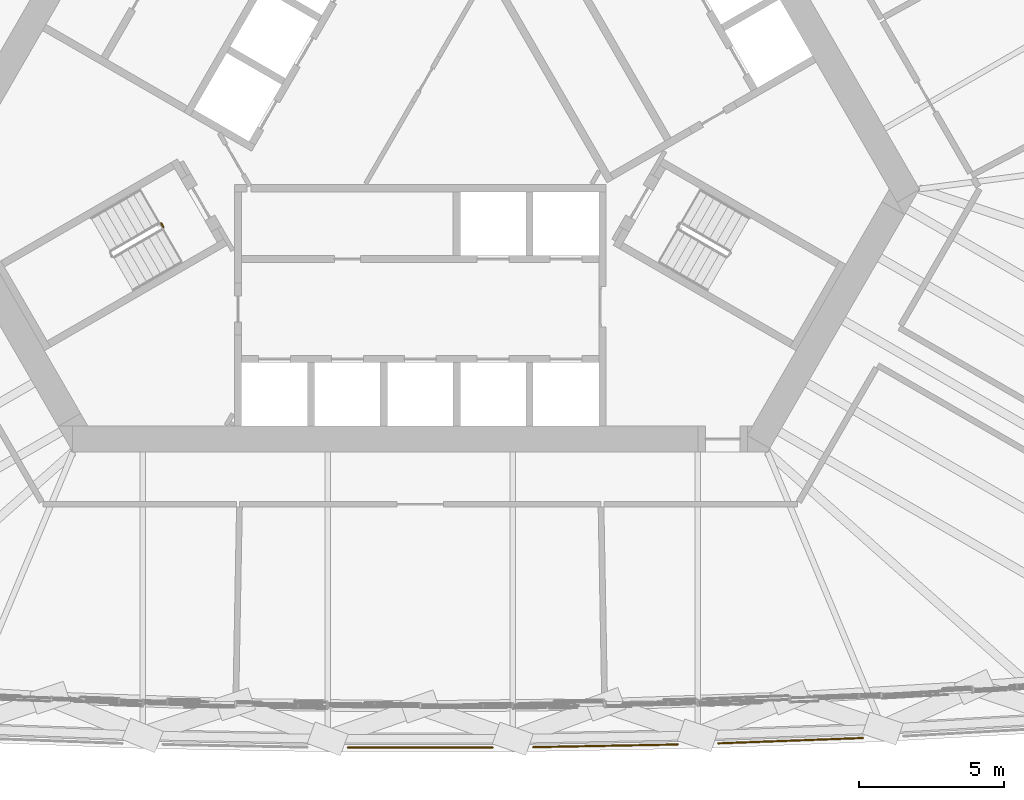
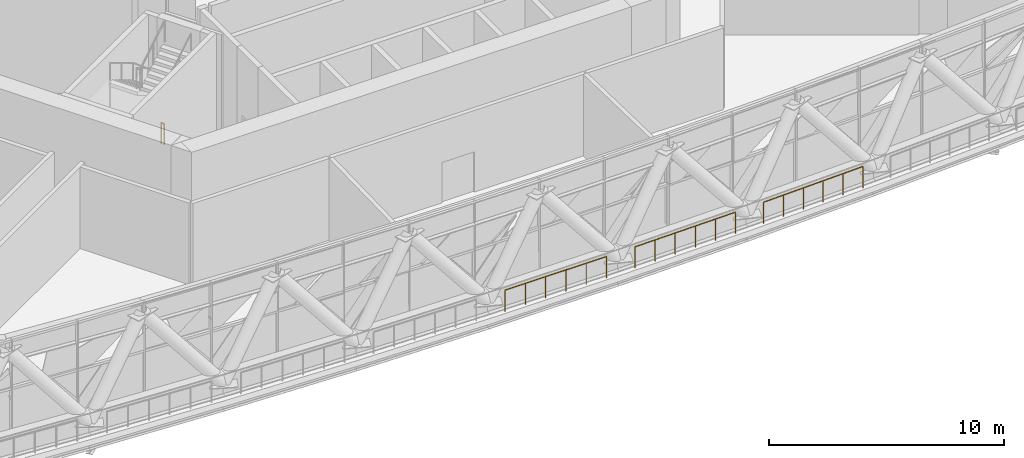
# One storey, part 39 of 43: 4 railings.
"""IFC4 building model written with IfcOpenShell, lengths in metres."""

from ifc_helpers import new_model, si_unit, direction, frame, origin, origin_2d, place, context, subcontext, project, spatial, circle, extrude, material, type_object, element, save


model = new_model("IFC4")

# Units and contexts
model_context = context("Model", 3, precision=1e-05, world=origin(), true_north=direction((0.0, 1.0)))
body_context = subcontext(model_context, "Body", "Model", "MODEL_VIEW")
ifc_project = project(units=[si_unit("LENGTHUNIT", "METRE"), si_unit("AREAUNIT", "SQUARE_METRE"), si_unit("VOLUMEUNIT", "CUBIC_METRE"), si_unit("PLANEANGLEUNIT", "RADIAN"), si_unit("MASSUNIT", "GRAM", prefix="KILO")], contexts=[model_context])

# Site, building, storey
site_placement = place(None, origin())
site = spatial("IfcSite", under=ifc_project, at=site_placement, CompositionType="ELEMENT")
building_placement = place(site_placement, origin())
building = spatial("IfcBuilding", under=site, at=building_placement, Name="Mestral Congress Tower", CompositionType="ELEMENT")
storey_placement = place(building_placement, frame((0.0, 0.0, 78.300048828125)))
storey = spatial("IfcBuildingStorey", under=building, at=storey_placement, Name="L18", CompositionType="ELEMENT", Elevation=78.300048828125)

# Railings
ifc_material_1 = material(Name="Stainless steel", Category="steel")
railing_type_1 = type_object("IfcRailingType", Name="Facade guard 1120 steel and glass", PredefinedType="GUARDRAIL", material=ifc_material_1)
railing_1_placement = place(storey_placement, frame((-2.4990234375, -23.213134765625, 0.0)))
element("IfcRailing", 1, at=railing_1_placement, inside=storey, type_object=railing_type_1, Name="Band guard F0-04", PredefinedType="GUARDRAIL", context=body_context, shape_type="SweptSolid", body=[
    extrude(circle(Radius=0.02392578125, at=origin_2d()), frame((0.0, 0.0, 1.09619140625), z_axis=(1.0, 0.0, 0.0), x_axis=(0.0, 1.0, 0.0)), (0.0, 0.0, 1.0), 4.998046875),
    extrude(circle(Radius=0.02099609375, at=origin_2d()), origin(), (0.0, 0.0, 1.0), 1.072021484375),
    extrude(circle(Radius=0.02099609375, at=origin_2d()), frame((0.99951171875, 0.0, 0.0)), (0.0, 0.0, 1.0), 1.072021484375),
    extrude(circle(Radius=0.02099609375, at=origin_2d()), frame((1.999267578125, 0.0, 0.0)), (0.0, 0.0, 1.0), 1.072021484375),
    extrude(circle(Radius=0.02099609375, at=origin_2d()), frame((2.998779296875, 0.0, 0.0)), (0.0, 0.0, 1.0), 1.072021484375),
    extrude(circle(Radius=0.02099609375, at=origin_2d()), frame((3.99853515625, 0.0, 0.0)), (0.0, 0.0, 1.0), 1.072021484375),
    extrude(circle(Radius=0.02099609375, at=origin_2d()), frame((4.998046875, 0.0, 0.0)), (0.0, 0.0, 1.0), 1.072021484375),
])
railing_2_placement = place(storey_placement, frame((3.90625, -23.2001953125, 0.0)))
element("IfcRailing", 2, at=railing_2_placement, inside=storey, type_object=railing_type_1, Name="Band guard F0-05", PredefinedType="GUARDRAIL", context=body_context, shape_type="SweptSolid", body=[
    extrude(circle(Radius=0.02392578125, at=origin_2d()), frame((0.0, 0.0, 1.09619140625), z_axis=(0.999829529479, 0.018463801951, 0.0), x_axis=(-0.018463801951, 0.999829529479, 0.0)), (0.0, 0.0, 1.0), 4.998046875),
    extrude(circle(Radius=0.02099609375, at=origin_2d()), origin(), (0.0, 0.0, 1.0), 1.072021484375),
    extrude(circle(Radius=0.02099609375, at=origin_2d()), frame((0.99951171875, 0.0185546875, 0.0)), (0.0, 0.0, 1.0), 1.072021484375),
    extrude(circle(Radius=0.02099609375, at=origin_2d()), frame((1.9990234375, 0.036865234375, 0.0)), (0.0, 0.0, 1.0), 1.072021484375),
    extrude(circle(Radius=0.02099609375, at=origin_2d()), frame((2.998291015625, 0.055419921875, 0.0)), (0.0, 0.0, 1.0), 1.072021484375),
    extrude(circle(Radius=0.02099609375, at=origin_2d()), frame((3.997802734375, 0.07373046875, 0.0)), (0.0, 0.0, 1.0), 1.072021484375),
    extrude(circle(Radius=0.02099609375, at=origin_2d()), frame((4.997314453125, 0.09228515625, 0.0)), (0.0, 0.0, 1.0), 1.072021484375),
])
railing_3_placement = place(storey_placement, frame((10.310302734375, -23.06884765625, 0.0)))
element("IfcRailing", 3, at=railing_3_placement, inside=storey, type_object=railing_type_1, Name="Band guard F0-06", PredefinedType="GUARDRAIL", context=body_context, shape_type="SweptSolid", body=[
    extrude(circle(Radius=0.02392578125, at=origin_2d()), frame((0.0, 0.0, 1.09619140625), z_axis=(0.999316104543, 0.036977333617, 0.0), x_axis=(-0.036977333617, 0.999316104543, 0.0)), (0.0, 0.0, 1.0), 4.998046875),
    extrude(circle(Radius=0.02099609375, at=origin_2d()), origin(), (0.0, 0.0, 1.0), 1.072021484375),
    extrude(circle(Radius=0.02099609375, at=origin_2d()), frame((0.9990234375, 0.036865234375, 0.0)), (0.0, 0.0, 1.0), 1.072021484375),
    extrude(circle(Radius=0.02099609375, at=origin_2d()), frame((1.997802734375, 0.073974609375, 0.0)), (0.0, 0.0, 1.0), 1.072021484375),
    extrude(circle(Radius=0.02099609375, at=origin_2d()), frame((2.996826171875, 0.11083984375, 0.0)), (0.0, 0.0, 1.0), 1.072021484375),
    extrude(circle(Radius=0.02099609375, at=origin_2d()), frame((3.99560546875, 0.14794921875, 0.0)), (0.0, 0.0, 1.0), 1.072021484375),
    extrude(circle(Radius=0.02099609375, at=origin_2d()), frame((4.99462890625, 0.184814453125, 0.0)), (0.0, 0.0, 1.0), 1.072021484375),
])
ifc_material_2 = material(Name="Steel balustrade", Category="steel")
railing_type_2 = type_object("IfcRailingType", Name="Stair guard 1100", PredefinedType="GUARDRAIL", material=ifc_material_2)
railing_4_placement = place(storey_placement, frame((-8.95751953125, -5.0849609375, 0.0)))
element("IfcRailing", 4, at=railing_4_placement, inside=storey, type_object=railing_type_2, Name="L18 ST3 stair guard 5", PredefinedType="GUARDRAIL", context=body_context, shape_type="SweptSolid", body=[
    extrude(circle(Radius=0.02392578125, at=origin_2d()), frame((0.0, 0.0, 1.076171875), z_axis=(0.499816412211, -0.866131372301, 0.0), x_axis=(0.866131372301, 0.499816412211, 0.0)), (0.0, 0.0, 1.0), 0.14990234375),
    extrude(circle(Radius=0.02099609375, at=origin_2d()), origin(), (0.0, 0.0, 1.0), 1.052001953125),
    extrude(circle(Radius=0.02099609375, at=origin_2d()), frame((0.074951171875, -0.1298828125, 0.0)), (0.0, 0.0, 1.0), 1.052001953125),
])

save(model, "model.ifc")
